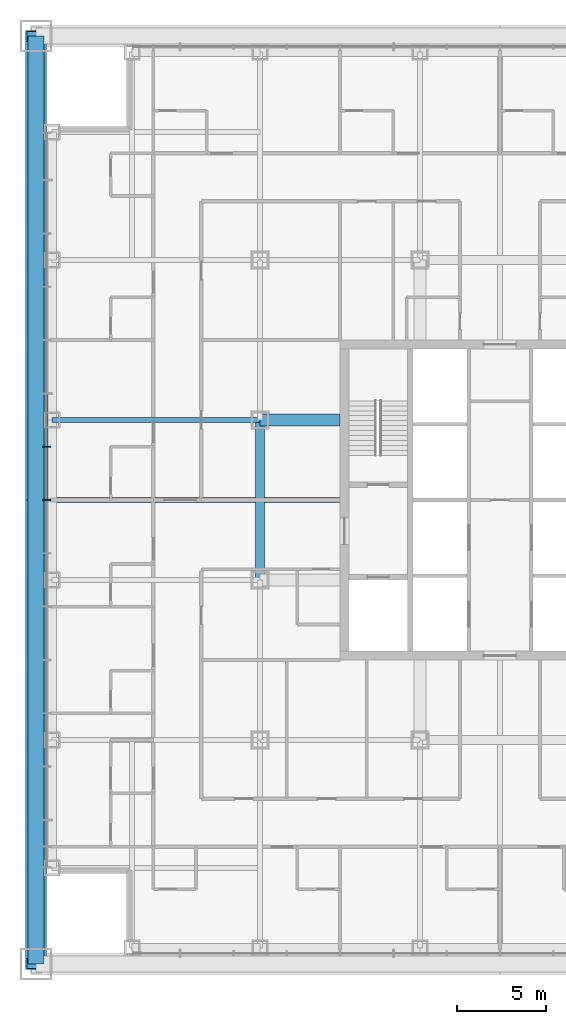
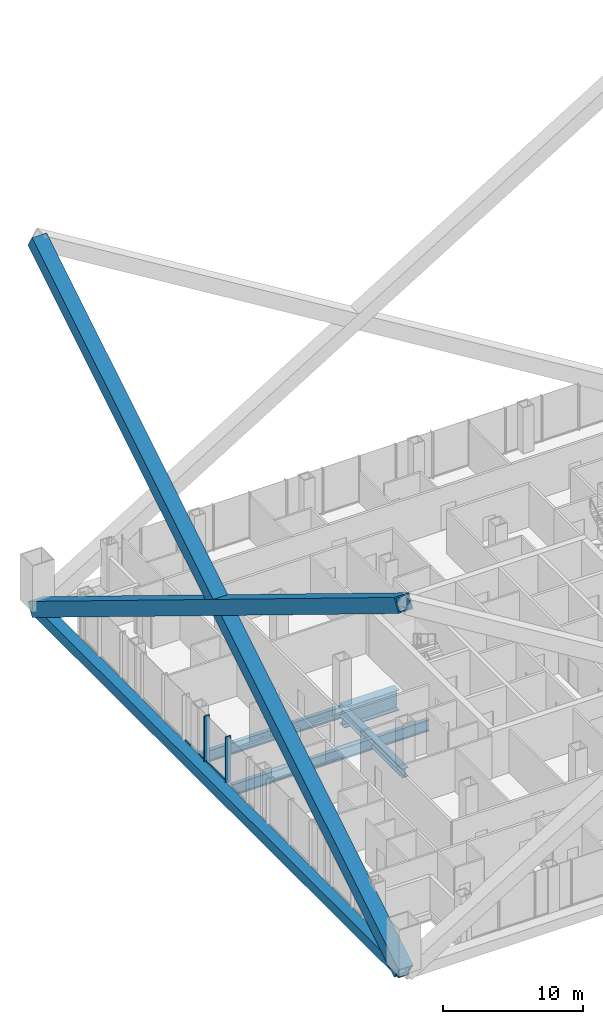
# One storey, part 5 of 21: 7 members, 4 beams, 1 element without a shape of its own.
"""IFC4 building model written with IfcOpenShell, lengths in metres."""

import ifcopenshell
import ifcopenshell.guid

model = None  # the IFC model being written
_history = None  # IfcOwnerHistory: only IFC2X3 demands one
_inside = {}  # id of a spatial element -> (the spatial element, [elements in it])
_under = {}  # id of a project, library or spatial element -> (it, [spatial elements below it])
_declared = {}  # id of a project -> (the project, [libraries it declares])
_typed = {}  # id of a type object -> (the type object, [elements of that type])
_made_of = {}  # id of a material, layer set ... -> (it, [elements and type objects made of it])


def new_model(schema):
    """Start an empty IFC model of exactly this schema.

    Asked for "IFC4X3", IfcOpenShell would pick the latest addendum, in which some entities
    have other attributes; the version numbers below select the first issue.
    IFC2X3 requires an IfcOwnerHistory on every rooted entity: one is made here for all.
    """
    global model, _history
    if schema == "IFC4X3":
        model = ifcopenshell.file(schema_version=(4, 3, 0, 0))
    else:
        model = ifcopenshell.file(schema=schema)
    _inside.clear()
    _under.clear()
    _declared.clear()
    _typed.clear()
    _made_of.clear()
    _history = None
    if model.schema == "IFC2X3":
        org = make("IfcOrganization", Name="unknown")
        user = make(
            "IfcPersonAndOrganization",
            ThePerson=make("IfcPerson", FamilyName="unknown"),
            TheOrganization=org,
        )
        app = make(
            "IfcApplication",
            ApplicationDeveloper=org,
            Version="unknown",
            ApplicationFullName="unknown",
            ApplicationIdentifier="unknown",
        )
        _history = make(
            "IfcOwnerHistory",
            OwningUser=user,
            OwningApplication=app,
            ChangeAction="ADDED",
            CreationDate=0,
        )
    return model


def make(cls, **values):
    """One entity of the class cls with the attributes given. An attribute that is None is left unset."""
    return model.create_entity(
        cls, **{name: value for name, value in values.items() if value is not None}
    )


def rooted(cls, **values):
    """An entity with a GlobalId (a new one), such as an element, a storey or a relation."""
    return make(cls, GlobalId=ifcopenshell.guid.new(), OwnerHistory=_history, **values)


def si_unit(unit_type, name, prefix=None):
    """IfcSIUnit, for example si_unit("LENGTHUNIT", "METRE", prefix="MILLI")."""
    return make("IfcSIUnit", UnitType=unit_type, Prefix=prefix, Name=name)


def assignment(units):
    """IfcUnitAssignment: the units of a project."""
    return None if units is None else make("IfcUnitAssignment", Units=units)


def point(xyz):
    """IfcCartesianPoint."""
    return None if xyz is None else make("IfcCartesianPoint", Coordinates=xyz)


def direction(xyz):
    """IfcDirection."""
    return None if xyz is None else make("IfcDirection", DirectionRatios=xyz)


def frame(location, z_axis=None, x_axis=None):
    """IfcAxis2Placement3D, a coordinate frame: its origin and axes. An axis left out is left unset."""
    return make(
        "IfcAxis2Placement3D",
        Location=point(location),
        Axis=direction(z_axis),
        RefDirection=direction(x_axis),
    )


def frame_2d(location, x_axis=None):
    """IfcAxis2Placement2D, a coordinate frame in the plane: its origin and x axis."""
    return make(
        "IfcAxis2Placement2D", Location=point(location), RefDirection=direction(x_axis)
    )


def origin():
    """The frame at (0, 0, 0) with its axes left unset."""
    return frame((0.0, 0.0, 0.0))


def origin_2d():
    """The frame at (0, 0) in the plane with its x axis left unset."""
    return frame_2d((0.0, 0.0))


def place(relative_to, where):
    """IfcLocalPlacement: puts the frame where relative to a parent placement (None: the world)."""
    return make(
        "IfcLocalPlacement", PlacementRelTo=relative_to, RelativePlacement=where
    )


def context(
    kind, dimensions, precision=None, world=None, true_north=None, identifier=None
):
    """IfcGeometricRepresentationContext, for example the 3D "Model" context."""
    return make(
        "IfcGeometricRepresentationContext",
        ContextIdentifier=identifier,
        ContextType=kind,
        CoordinateSpaceDimension=dimensions,
        Precision=precision,
        WorldCoordinateSystem=world,
        TrueNorth=true_north,
    )


def subcontext(parent, identifier, kind, view, scale=None):
    """IfcGeometricRepresentationSubContext, for example "Body" below "Model"."""
    return make(
        "IfcGeometricRepresentationSubContext",
        ContextIdentifier=identifier,
        ContextType=kind,
        ParentContext=parent,
        TargetScale=scale,
        TargetView=view,
    )


def project(units=None, contexts=None):
    """IfcProject with its units and contexts."""
    return rooted(
        "IfcProject",
        Name="project",
        RepresentationContexts=contexts,
        UnitsInContext=assignment(units),
    )


def spatial(cls, under=None, at=None, **own):
    """A site, building, storey or space (cls), placed at a placement, below another one or the project."""
    s = rooted(cls, ObjectPlacement=at, **own)
    if under is not None:
        _under.setdefault(under.id(), (under, []))[1].append(s)
    return s


def profile(cls, at=None, kind="AREA", **sizes):
    """A parametric profile (cls). Its sizes go by their IFC names, for example OverallWidth=200.0."""
    return make(cls, ProfileType=kind, Position=at, **sizes)


def rectangle(**sizes):
    """IfcRectangleProfileDef."""
    return profile("IfcRectangleProfileDef", **sizes)


def hollow_rectangle(**sizes):
    """IfcRectangleHollowProfileDef."""
    return profile("IfcRectangleHollowProfileDef", **sizes)


def i_section(**sizes):
    """IfcIShapeProfileDef."""
    return profile("IfcIShapeProfileDef", **sizes)


def extrude(swept, where, along, depth):
    """IfcExtrudedAreaSolid: the profile swept, set in the frame where, extruded along a direction by depth."""
    return make(
        "IfcExtrudedAreaSolid",
        SweptArea=swept,
        Position=where,
        ExtrudedDirection=direction(along),
        Depth=depth,
    )


def shape(context_of_items, identifier, shape_type, items):
    """IfcShapeRepresentation: the items that make up one representation, for example the "Body"."""
    return make(
        "IfcShapeRepresentation",
        ContextOfItems=context_of_items,
        RepresentationIdentifier=identifier,
        RepresentationType=shape_type,
        Items=items,
    )


def material(Name=None, Category=None):
    """IfcMaterial."""
    return make("IfcMaterial", Name=Name, Category=Category)


def layer(
    of_material, thickness, ventilated=None, Name=None, Category=None, Priority=None
):
    """IfcMaterialLayer: one layer of a wall or slab, of a material (None: an air gap)."""
    return make(
        "IfcMaterialLayer",
        Material=of_material,
        LayerThickness=thickness,
        IsVentilated=ventilated,
        Name=Name,
        Category=Category,
        Priority=Priority,
    )


def layer_set(layers, Name=None):
    """IfcMaterialLayerSet."""
    return make("IfcMaterialLayerSet", MaterialLayers=layers, LayerSetName=Name)


def material_profile(
    of_material, cross_section, Name=None, Category=None, Priority=None
):
    """IfcMaterialProfile: a cross section and its material."""
    return make(
        "IfcMaterialProfile",
        Name=Name,
        Material=of_material,
        Profile=cross_section,
        Priority=Priority,
        Category=Category,
    )


def profile_set(profiles, Name=None, composite=None):
    """IfcMaterialProfileSet."""
    return make(
        "IfcMaterialProfileSet",
        Name=Name,
        MaterialProfiles=profiles,
        CompositeProfile=composite,
    )


def made_of(thing, what):
    """Note that an element or type object is made of a material, layer set ...; save() writes the relation."""
    if what is not None:
        _made_of.setdefault(what.id(), (what, []))[1].append(thing)
    return thing


def type_object(cls, material=None, **own):
    """A type object (cls), such as IfcWallType, which elements share."""
    return made_of(rooted(cls, **own), material)


def element(
    cls,
    number,
    at=None,
    inside=None,
    cuts=None,
    type_object=None,
    material=None,
    context=None,
    identifier="Body",
    shape_type=None,
    held_by="IfcProductDefinitionShape",
    body=None,
    shapes=None,
    **own,
):
    """One element of the class cls, such as IfcWall. Its Tag is "e" and its number.

    at: its placement. inside: the storey or other place that contains it. cuts: it is an
    opening in that element (IfcRelVoidsElement). A single representation is given by context,
    identifier, shape_type and body (its items); several are given by shapes. held_by: the class
    of the entity that holds the representations. save() writes the other relations.
    """
    e = rooted(cls, Tag="e%d" % number, ObjectPlacement=at, **own)
    if body is not None:
        shapes = [shape(context, identifier, shape_type, body)]
    if shapes is not None:
        e.Representation = make(held_by, Representations=shapes)
    if inside is not None:
        _inside.setdefault(inside.id(), (inside, []))[1].append(e)
    if cuts is not None:
        rooted(
            "IfcRelVoidsElement", RelatingBuildingElement=cuts, RelatedOpeningElement=e
        )
    if type_object is not None:
        _typed.setdefault(type_object.id(), (type_object, []))[1].append(e)
    return made_of(e, material)


def aggregate(whole, parts):
    """IfcRelAggregates: a whole, such as a stair, and the parts it consists of."""
    return rooted("IfcRelAggregates", RelatingObject=whole, RelatedObjects=parts)


def save(model, path):
    """Write the relations noted so far, then the file.

    IfcRelAggregates (storeys below a building ...), IfcRelContainedInSpatialStructure (elements
    in a storey), IfcRelDefinesByType, IfcRelAssociatesMaterial and IfcRelDeclares: one each for
    every whole, place, type object, material and project.
    """
    for whole, parts in _under.values():
        aggregate(whole, parts)
    for where, things in _inside.values():
        rooted(
            "IfcRelContainedInSpatialStructure",
            RelatedElements=things,
            RelatingStructure=where,
        )
    for kind, things in _typed.values():
        rooted("IfcRelDefinesByType", RelatedObjects=things, RelatingType=kind)
    for what, things in _made_of.values():
        rooted("IfcRelAssociatesMaterial", RelatedObjects=things, RelatingMaterial=what)
    for by, libraries in _declared.values():
        rooted("IfcRelDeclares", RelatingContext=by, RelatedDefinitions=libraries)
    model.write(path)


model = new_model("IFC4")

# Units and contexts
model_context = context("Model", 3, precision=1e-05, world=origin(), true_north=direction((0.0, 1.0)))
body_context = subcontext(model_context, "Body", "Model", "MODEL_VIEW")
ifc_project = project(units=[si_unit("LENGTHUNIT", "METRE"), si_unit("AREAUNIT", "SQUARE_METRE"), si_unit("VOLUMEUNIT", "CUBIC_METRE"), si_unit("PLANEANGLEUNIT", "RADIAN"), si_unit("MASSUNIT", "GRAM", prefix="KILO")], contexts=[model_context])

# Site, building, storey
site_placement = place(None, origin())
site = spatial("IfcSite", under=ifc_project, at=site_placement, CompositionType="ELEMENT")
building_placement = place(site_placement, origin())
building = spatial("IfcBuilding", under=site, at=building_placement, Name="Malebo Sky Hospital", CompositionType="ELEMENT")
storey_placement = place(building_placement, frame((0.0, 0.0, 31.0)))
storey = spatial("IfcBuildingStorey", under=building, at=storey_placement, Name="L06", CompositionType="ELEMENT", Elevation=31.0)

# Curtain wall, members
ifc_material_1 = material(Name="Anodised aluminium, natural silver", Category="aluminium")
ifc_layer = layer(ifc_material_1, 0.25)
ifc_layer_set = layer_set([ifc_layer], Name="WARD CURTAIN WALL EAST AND WEST")
curtain_wall_type = type_object("IfcCurtainWallType", Name="WARD CURTAIN WALL EAST AND WEST", PredefinedType="NOTDEFINED", material=ifc_layer_set)
curtain_wall_placement = place(storey_placement, origin())
curtain_wall = element("IfcCurtainWall", 1, at=curtain_wall_placement, inside=storey, type_object=curtain_wall_type, Name="EW curtain wall W", PredefinedType="NOTDEFINED")
ifc_material_profile_1 = material_profile(ifc_material_1, rectangle(XDim=0.14990234375, YDim=0.10009765625, at=origin_2d()), Name="ALUMINIUM TRANSOM 150x100")
ifc_profile_set_1 = profile_set([ifc_material_profile_1], Name="Anodised aluminium, natural silver")
member_type_1 = type_object("IfcMemberType", Name="ALUMINIUM TRANSOM 150x100", PredefinedType="USERDEFINED", material=ifc_profile_set_1)
member_1_placement = place(storey_placement, frame((34.5, 62.03759765625, 0.050048828125), z_axis=(0.0, 1.0, 0.0), x_axis=(-1.0, 0.0, 0.0)))
member_1 = element("IfcMember", 2, at=member_1_placement, type_object=member_type_1, Name="Transom 9", ObjectType="TRANSOM", PredefinedType="USERDEFINED", context=body_context, shape_type="SweptSolid", body=[
    extrude(rectangle(XDim=0.14990234375, YDim=0.10009765625, at=origin_2d()), origin(), (0.0, 0.0, 1.0), 2.9248046875),
])
member_2_placement = place(storey_placement, frame((34.5, 65.03759765625, 0.050048828125), z_axis=(0.0, 1.0, 0.0), x_axis=(-1.0, 0.0, 0.0)))
member_2 = element("IfcMember", 3, at=member_2_placement, type_object=member_type_1, Name="Transom 10", ObjectType="TRANSOM", PredefinedType="USERDEFINED", context=body_context, shape_type="SweptSolid", body=[
    extrude(rectangle(XDim=0.14990234375, YDim=0.10009765625, at=origin_2d()), origin(), (0.0, 0.0, 1.0), 2.9248046875),
])
ifc_material_profile_2 = material_profile(ifc_material_1, rectangle(XDim=0.074951171875, YDim=0.449951171875, at=origin_2d()), Name="CW2 ALUMINIUM FIN MULLION 75x450")
ifc_profile_set_2 = profile_set([ifc_material_profile_2], Name="Anodised aluminium, natural silver")
member_type_2 = type_object("IfcMemberType", Name="CW2 ALUMINIUM FIN MULLION 75x450", PredefinedType="MULLION", material=ifc_profile_set_2)
member_3_placement = place(storey_placement, frame((34.5, 62.0, 0.0), z_axis=(0.0, 0.0, 1.0), x_axis=(0.0, 1.0, 0.0)))
member_3 = element("IfcMember", 4, at=member_3_placement, type_object=member_type_2, Name="Fin mullion 9", PredefinedType="MULLION", context=body_context, shape_type="SweptSolid", body=[
    extrude(rectangle(XDim=0.074951171875, YDim=0.449951171875, at=origin_2d()), origin(), (0.0, 0.0, 1.0), 4.0),
])
member_4_placement = place(storey_placement, frame((34.5, 65.0, 0.0), z_axis=(0.0, 0.0, 1.0), x_axis=(0.0, 1.0, 0.0)))
member_4 = element("IfcMember", 5, at=member_4_placement, type_object=member_type_2, Name="Fin mullion 10", PredefinedType="MULLION", context=body_context, shape_type="SweptSolid", body=[
    extrude(rectangle(XDim=0.074951171875, YDim=0.449951171875, at=origin_2d()), origin(), (0.0, 0.0, 1.0), 4.0),
])
aggregate(curtain_wall, [member_3, member_4, member_1, member_2])

# Beams
ifc_material_2 = material(Name="Steel S355", Category="steel")
ifc_material_profile_3 = material_profile(ifc_material_2, i_section(OverallWidth=0.300048828125, OverallDepth=1.0, WebThickness=0.01904296875, FlangeThickness=0.035888671875, FilletRadius=0.030029296875, at=origin_2d()), Name="HEB 1000")
ifc_profile_set_3 = profile_set([ifc_material_profile_3], Name="Steel S355")
beam_type_1 = type_object("IfcBeamType", Name="FLOOR BEAM HEB 1000", PredefinedType="BEAM", material=ifc_profile_set_3)
beam_1_placement = place(storey_placement, frame((34.800048828125, 62.0, -0.75), z_axis=(1.0, 0.0, 0.0), x_axis=(0.0, 1.0, 0.0)))
element("IfcBeam", 6, at=beam_1_placement, inside=storey, type_object=beam_type_1, Name="Beam 050 L06", PredefinedType="BEAM", context=body_context, shape_type="SweptSolid", body=[
    extrude(i_section(OverallWidth=0.300048828125, OverallDepth=1.0, WebThickness=0.01904296875, FlangeThickness=0.035888671875, FilletRadius=0.030029296875, at=origin_2d()), origin(), (0.0, 0.0, 1.0), 16.199951171875),
])
beam_2_placement = place(storey_placement, frame((34.800048828125, 66.5, -0.75), z_axis=(1.0, 0.0, 0.0), x_axis=(0.0, 1.0, 0.0)))
element("IfcBeam", 7, at=beam_2_placement, inside=storey, type_object=beam_type_1, Name="Beam 052 L06", PredefinedType="BEAM", context=body_context, shape_type="SweptSolid", body=[
    extrude(i_section(OverallWidth=0.300048828125, OverallDepth=1.0, WebThickness=0.01904296875, FlangeThickness=0.035888671875, FilletRadius=0.030029296875, at=origin_2d()), origin(), (0.0, 0.0, 1.0), 11.699951171875),
])
ifc_material_profile_4 = material_profile(ifc_material_2, i_section(OverallWidth=0.699951171875, OverallDepth=1.800048828125, WebThickness=0.034912109375, FlangeThickness=0.070068359375, at=origin_2d()), Name="PG 1800x700x35x70")
ifc_profile_set_4 = profile_set([ifc_material_profile_4], Name="Steel S355")
beam_type_2 = type_object("IfcBeamType", Name="FLOOR BEAM PG 1800x700x35x70", PredefinedType="BEAM", material=ifc_profile_set_4)
beam_3_placement = place(storey_placement, frame((46.5, 66.5, -1.14990234375), z_axis=(1.0, 0.0, 0.0), x_axis=(0.0, 1.0, 0.0)))
element("IfcBeam", 8, at=beam_3_placement, inside=storey, type_object=beam_type_2, Name="Beam 053 L06", PredefinedType="BEAM", context=body_context, shape_type="SweptSolid", body=[
    extrude(i_section(OverallWidth=0.699951171875, OverallDepth=1.800048828125, WebThickness=0.034912109375, FlangeThickness=0.070068359375, at=origin_2d()), origin(), (0.0, 0.0, 1.0), 4.5),
])

# Members
ifc_material_3 = material(Name="Steel S460", Category="steel")
ifc_material_profile_5 = material_profile(ifc_material_3, hollow_rectangle(XDim=1.199951171875, YDim=1.199951171875, WallThickness=0.10009765625, at=origin_2d()), Name="BOX 1200x1200x100")
ifc_profile_set_5 = profile_set([ifc_material_profile_5], Name="Steel S460")
member_type_3 = type_object("IfcMemberType", Name="MEGA BRACE BOX 1200x1200x100", PredefinedType="BRACE", material=ifc_profile_set_5)
for number, where, z_axis, x_axis, name in (
    (9, (33.89990234375, 88.10009765625, -0.39990234375), (0.0, -0.85255517375, 0.522637231464), (1.0, 0.0, 0.0), "Mega brace A1W1 L06-L14"),
    (10, (33.89990234375, 35.89990234375, -0.39990234375), (0.0, 0.85255517375, 0.522637231464), (-1.0, 0.0, 0.0), "Mega brace A1W2 L06-L14"),
):
    element("IfcMember", number, at=place(storey_placement, frame(where, z_axis=z_axis, x_axis=x_axis)), inside=storey, type_object=member_type_3, Name=name, PredefinedType="BRACE", context=body_context, shape_type="SweptSolid", body=[
        extrude(hollow_rectangle(XDim=1.199951171875, YDim=1.199951171875, WallThickness=0.10009765625, at=origin_2d()), origin(), (0.0, 0.0, 1.0), 61.22802734375),
    ])
ifc_material_profile_6 = material_profile(ifc_material_3, hollow_rectangle(XDim=0.89990234375, YDim=0.89990234375, WallThickness=0.050048828125, at=origin_2d()), Name="BOX 900x900x50")
ifc_profile_set_6 = profile_set([ifc_material_profile_6], Name="Steel S460")
member_type_4 = type_object("IfcMemberType", Name="MEGA TIE BOX 900x900x50", PredefinedType="CHORD", material=ifc_profile_set_6)
member_5_placement = place(storey_placement, frame((33.89990234375, 88.10009765625, -0.39990234375), z_axis=(0.0, -1.0, 0.0), x_axis=(1.0, 0.0, 0.0)))
element("IfcMember", 11, at=member_5_placement, inside=storey, type_object=member_type_4, Name="Mega tie AW L06", PredefinedType="CHORD", context=body_context, shape_type="SweptSolid", body=[
    extrude(hollow_rectangle(XDim=0.89990234375, YDim=0.89990234375, WallThickness=0.050048828125, at=origin_2d()), origin(), (0.0, 0.0, 1.0), 52.2001953125),
])

# Beam
ifc_material_profile_7 = material_profile(ifc_material_2, i_section(OverallWidth=0.5, OverallDepth=0.800048828125, WebThickness=0.030029296875, FlangeThickness=0.050048828125, at=origin_2d()), Name="PG 800x500x30x50")
ifc_profile_set_7 = profile_set([ifc_material_profile_7], Name="Steel S355")
beam_type_3 = type_object("IfcBeamType", Name="RING GIRDER PG 800x500x30x50", PredefinedType="BEAM", material=ifc_profile_set_7)
beam_4_placement = place(storey_placement, frame((46.5, 57.5, -0.64990234375), z_axis=(0.0, 1.0, 0.0), x_axis=(-1.0, 0.0, 0.0)))
element("IfcBeam", 12, at=beam_4_placement, inside=storey, type_object=beam_type_3, Name="Beam 009 L06", PredefinedType="BEAM", context=body_context, shape_type="SweptSolid", body=[
    extrude(i_section(OverallWidth=0.5, OverallDepth=0.800048828125, WebThickness=0.030029296875, FlangeThickness=0.050048828125, at=origin_2d()), origin(), (0.0, 0.0, 1.0), 9.0),
])

save(model, "model.ifc")
